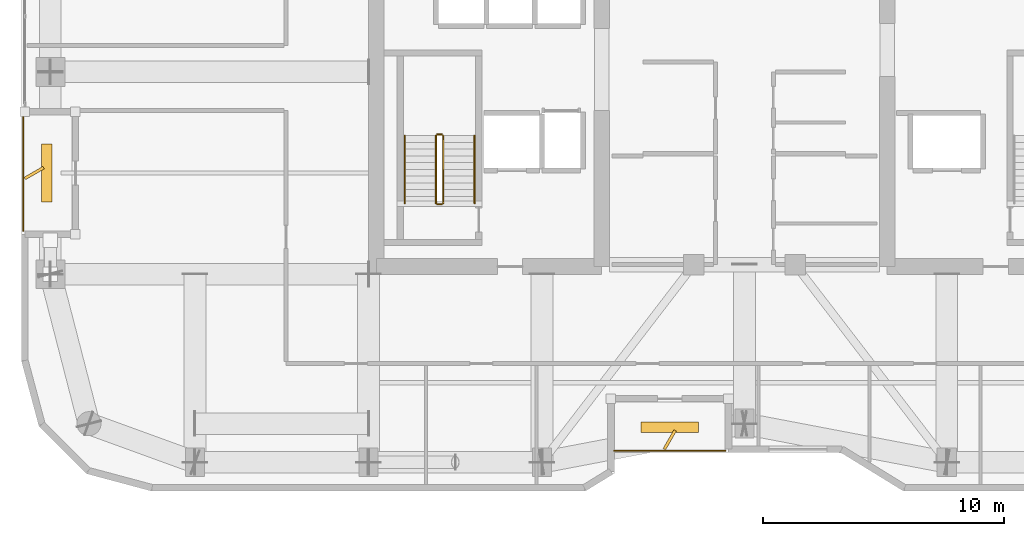
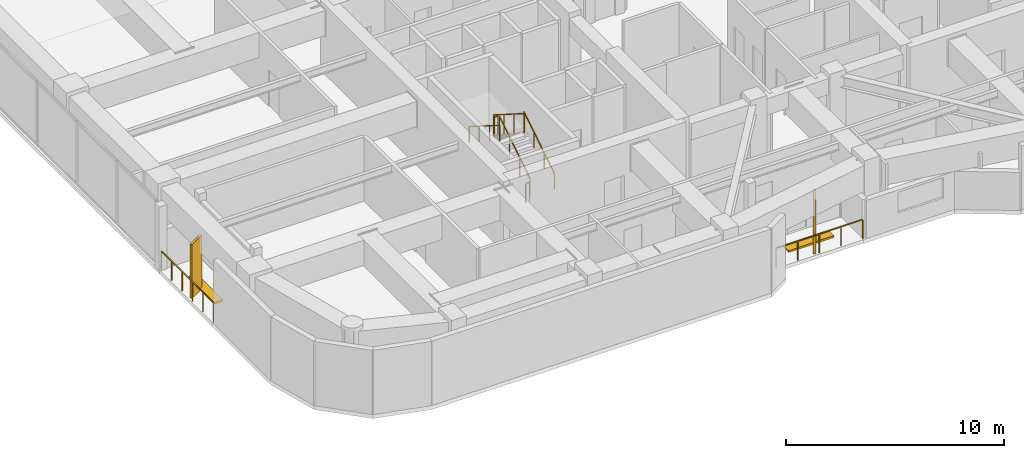
# One storey, part 28 of 30: 8 railings, 4 shading devices.
"""IFC4 building model written with IfcOpenShell, lengths in metres."""

from ifc_helpers import new_model, si_unit, direction, frame, origin, origin_2d, place, context, subcontext, project, spatial, rectangle, extrude, material, type_object, element, save


model = new_model("IFC4")

# Units and contexts
model_context = context("Model", 3, precision=1e-05, world=origin(), true_north=direction((0.0, 1.0)))
body_context = subcontext(model_context, "Body", "Model", "MODEL_VIEW")
ifc_project = project(units=[si_unit("LENGTHUNIT", "METRE"), si_unit("AREAUNIT", "SQUARE_METRE"), si_unit("VOLUMEUNIT", "CUBIC_METRE"), si_unit("PLANEANGLEUNIT", "RADIAN"), si_unit("MASSUNIT", "GRAM", prefix="KILO")], contexts=[model_context])

# Site, building, storey
site_placement = place(None, origin())
site = spatial("IfcSite", under=ifc_project, at=site_placement, CompositionType="ELEMENT")
building_placement = place(site_placement, origin())
building = spatial("IfcBuilding", under=site, at=building_placement, Name="Kiyonajd Concourse Tower", CompositionType="ELEMENT")
storey_placement = place(building_placement, frame((0.0, 0.0, 205.800048828125)))
storey = spatial("IfcBuildingStorey", under=building, at=storey_placement, Name="L52", CompositionType="ELEMENT", Elevation=205.800048828125)

# Railings
ifc_material_1 = material(Name="Thermally Broken Anodised Aluminium", Category="aluminium")
railing_type_1 = type_object("IfcRailingType", Name="RL-GRD-LOG", PredefinedType="GUARDRAIL", material=ifc_material_1)
railing_1_placement = place(storey_placement, frame((42.60009765625, 20.280029296875, 0.0)))
element("IfcRailing", 1, at=railing_1_placement, inside=storey, type_object=railing_type_1, Name="L52 Engawa Loggia Perimeter Guard LOG-S", PredefinedType="GUARDRAIL", context=body_context, shape_type="SweptSolid", body=[
    extrude(rectangle(XDim=0.048095703125, YDim=0.048095703125, at=origin_2d()), frame((0.0, 0.0, 1.076171875), z_axis=(1.0, 0.0, 0.0), x_axis=(0.0, 1.0, 0.0)), (0.0, 0.0, 1.0), 4.599853515625),
    extrude(rectangle(XDim=0.0419921875, YDim=0.0419921875, at=origin_2d()), origin(), (0.0, 0.0, 1.0), 1.052001953125),
    extrude(rectangle(XDim=0.0419921875, YDim=0.0419921875, at=origin_2d()), frame((1.14990234375, 0.0, 0.0)), (0.0, 0.0, 1.0), 1.052001953125),
    extrude(rectangle(XDim=0.0419921875, YDim=0.0419921875, at=origin_2d()), frame((2.2998046875, 0.0, 0.0)), (0.0, 0.0, 1.0), 1.052001953125),
    extrude(rectangle(XDim=0.0419921875, YDim=0.0419921875, at=origin_2d()), frame((3.449951171875, 0.0, 0.0)), (0.0, 0.0, 1.0), 1.052001953125),
    extrude(rectangle(XDim=0.0419921875, YDim=0.0419921875, at=origin_2d()), frame((4.599853515625, 0.0, 0.0)), (0.0, 0.0, 1.0), 1.052001953125),
])
railing_2_placement = place(storey_placement, frame((18.080078125, 34.199951171875, 0.0)))
element("IfcRailing", 2, at=railing_2_placement, inside=storey, type_object=railing_type_1, Name="L52 Engawa Loggia Perimeter Guard LOG-W", PredefinedType="GUARDRAIL", context=body_context, shape_type="SweptSolid", body=[
    extrude(rectangle(XDim=0.048095703125, YDim=0.048095703125, at=origin_2d()), frame((0.0, 0.0, 1.076171875), z_axis=(0.0, -1.0, 0.0), x_axis=(1.0, 0.0, 0.0)), (0.0, 0.0, 1.0), 4.800048828125),
    extrude(rectangle(XDim=0.0419921875, YDim=0.0419921875, at=origin_2d()), origin(), (0.0, 0.0, 1.0), 1.052001953125),
    extrude(rectangle(XDim=0.0419921875, YDim=0.0419921875, at=origin_2d()), frame((0.0, -0.9599609375, 0.0)), (0.0, 0.0, 1.0), 1.052001953125),
    extrude(rectangle(XDim=0.0419921875, YDim=0.0419921875, at=origin_2d()), frame((0.0, -1.919921875, 0.0)), (0.0, 0.0, 1.0), 1.052001953125),
    extrude(rectangle(XDim=0.0419921875, YDim=0.0419921875, at=origin_2d()), frame((0.0, -2.880126953125, 0.0)), (0.0, 0.0, 1.0), 1.052001953125),
    extrude(rectangle(XDim=0.0419921875, YDim=0.0419921875, at=origin_2d()), frame((0.0, -3.840087890625, 0.0)), (0.0, 0.0, 1.0), 1.052001953125),
    extrude(rectangle(XDim=0.0419921875, YDim=0.0419921875, at=origin_2d()), frame((0.0, -4.800048828125, 0.0)), (0.0, 0.0, 1.0), 1.052001953125),
])
ifc_material_2 = material(Name="Steel ASTM A500 Grade C", Category="steel")
railing_type_2 = type_object("IfcRailingType", Name="RL-GRD-STR", PredefinedType="GUARDRAIL", material=ifc_material_2)
railing_3_placement = place(storey_placement, frame((35.5, 30.550048828125, 0.17724609375)))
element("IfcRailing", 3, at=railing_3_placement, inside=storey, type_object=railing_type_2, Name="L52 ST1 stair guard 1", PredefinedType="GUARDRAIL", context=body_context, shape_type="SweptSolid", body=[
    extrude(rectangle(XDim=0.048095703125, YDim=0.048095703125, at=origin_2d()), frame((0.0, 0.0, 1.076171875), z_axis=(0.0, 0.844908973607, 0.534910110503), x_axis=(-1.0, 0.0, 0.0)), (0.0, 0.0, 1.0), 3.31396484375),
    extrude(rectangle(XDim=0.0419921875, YDim=0.0419921875, at=origin_2d()), origin(), (0.0, 0.0, 1.0), 1.052001953125),
    extrude(rectangle(XDim=0.0419921875, YDim=0.0419921875, at=origin_2d()), frame((0.0, 0.933349609375, 0.5908203125)), (0.0, 0.0, 1.0), 1.052001953125),
    extrude(rectangle(XDim=0.0419921875, YDim=0.0419921875, at=origin_2d()), frame((0.0, 1.86669921875, 1.181884765625)), (0.0, 0.0, 1.0), 1.052001953125),
    extrude(rectangle(XDim=0.0419921875, YDim=0.0419921875, at=origin_2d()), frame((0.0, 2.800048828125, 1.772705078125)), (0.0, 0.0, 1.0), 1.052001953125),
])
railing_4_placement = place(storey_placement, frame((35.449951171875, 33.39990234375, 1.949951171875)))
element("IfcRailing", 4, at=railing_4_placement, inside=storey, type_object=railing_type_2, Name="L52 ST1 stair guard 2", PredefinedType="GUARDRAIL", context=body_context, shape_type="SweptSolid", body=[
    extrude(rectangle(XDim=0.048095703125, YDim=0.048095703125, at=origin_2d()), frame((0.0, 0.0, 1.076171875), z_axis=(-1.0, 0.0, 0.0), x_axis=(0.0, -1.0, 0.0)), (0.0, 0.0, 1.0), 0.199951171875),
    extrude(rectangle(XDim=0.0419921875, YDim=0.0419921875, at=origin_2d()), origin(), (0.0, 0.0, 1.0), 1.052001953125),
    extrude(rectangle(XDim=0.0419921875, YDim=0.0419921875, at=origin_2d()), frame((-0.199951171875, 0.0, 0.0)), (0.0, 0.0, 1.0), 1.052001953125),
])
railing_5_placement = place(storey_placement, frame((35.199951171875, 33.35009765625, 2.127197265625)))
element("IfcRailing", 5, at=railing_5_placement, inside=storey, type_object=railing_type_2, Name="L52 ST1 stair guard 3", PredefinedType="GUARDRAIL", context=body_context, shape_type="SweptSolid", body=[
    extrude(rectangle(XDim=0.048095703125, YDim=0.048095703125, at=origin_2d()), frame((0.0, 0.0, 1.076171875), z_axis=(0.0, -0.844908973607, 0.534910110503), x_axis=(1.0, 0.0, 0.0)), (0.0, 0.0, 1.0), 3.31396484375),
    extrude(rectangle(XDim=0.0419921875, YDim=0.0419921875, at=origin_2d()), origin(), (0.0, 0.0, 1.0), 1.052001953125),
    extrude(rectangle(XDim=0.0419921875, YDim=0.0419921875, at=origin_2d()), frame((0.0, -0.933349609375, 0.5908203125)), (0.0, 0.0, 1.0), 1.052001953125),
    extrude(rectangle(XDim=0.0419921875, YDim=0.0419921875, at=origin_2d()), frame((0.0, -1.86669921875, 1.181884765625)), (0.0, 0.0, 1.0), 1.052001953125),
    extrude(rectangle(XDim=0.0419921875, YDim=0.0419921875, at=origin_2d()), frame((0.0, -2.800048828125, 1.772705078125)), (0.0, 0.0, 1.0), 1.052001953125),
])
railing_6_placement = place(storey_placement, frame((35.449951171875, 30.5, 0.0)))
element("IfcRailing", 6, at=railing_6_placement, inside=storey, type_object=railing_type_2, Name="L52 ST1 stair guard 4", PredefinedType="GUARDRAIL", context=body_context, shape_type="SweptSolid", body=[
    extrude(rectangle(XDim=0.048095703125, YDim=0.048095703125, at=origin_2d()), frame((0.0, 0.0, 1.076171875), z_axis=(-1.0, 0.0, 0.0), x_axis=(0.0, -1.0, 0.0)), (0.0, 0.0, 1.0), 0.199951171875),
    extrude(rectangle(XDim=0.0419921875, YDim=0.0419921875, at=origin_2d()), origin(), (0.0, 0.0, 1.0), 1.052001953125),
    extrude(rectangle(XDim=0.0419921875, YDim=0.0419921875, at=origin_2d()), frame((-0.199951171875, 0.0, 0.0)), (0.0, 0.0, 1.0), 1.052001953125),
])
ifc_material_3 = material(Name="Brushed Stainless Steel Cab Assembly", Category="steel")
railing_type_3 = type_object("IfcRailingType", Name="RL-HND-900", PredefinedType="HANDRAIL", material=ifc_material_3)
railing_7_placement = place(storey_placement, frame((36.800048828125, 30.550048828125, 0.17724609375)))
element("IfcRailing", 7, at=railing_7_placement, inside=storey, type_object=railing_type_3, Name="L52 ST1 stair handrail 1", PredefinedType="HANDRAIL", context=body_context, shape_type="SweptSolid", body=[
    extrude(rectangle(XDim=0.048095703125, YDim=0.048095703125, at=origin_2d()), frame((0.0, 0.0, 0.8759765625), z_axis=(0.0, 0.844908973607, 0.534910110503), x_axis=(-1.0, 0.0, 0.0)), (0.0, 0.0, 1.0), 3.31396484375),
    extrude(rectangle(XDim=0.0419921875, YDim=0.0419921875, at=origin_2d()), origin(), (0.0, 0.0, 1.0), 0.851806640625),
    extrude(rectangle(XDim=0.0419921875, YDim=0.0419921875, at=origin_2d()), frame((0.0, 0.933349609375, 0.5908203125)), (0.0, 0.0, 1.0), 0.851806640625),
    extrude(rectangle(XDim=0.0419921875, YDim=0.0419921875, at=origin_2d()), frame((0.0, 1.86669921875, 1.181884765625)), (0.0, 0.0, 1.0), 0.851806640625),
    extrude(rectangle(XDim=0.0419921875, YDim=0.0419921875, at=origin_2d()), frame((0.0, 2.800048828125, 1.772705078125)), (0.0, 0.0, 1.0), 0.851806640625),
])
railing_8_placement = place(storey_placement, frame((33.89990234375, 33.35009765625, 2.127197265625)))
element("IfcRailing", 8, at=railing_8_placement, inside=storey, type_object=railing_type_3, Name="L52 ST1 stair handrail 2", PredefinedType="HANDRAIL", context=body_context, shape_type="SweptSolid", body=[
    extrude(rectangle(XDim=0.048095703125, YDim=0.048095703125, at=origin_2d()), frame((0.0, 0.0, 0.8759765625), z_axis=(0.0, -0.844908973607, 0.534910110503), x_axis=(1.0, 0.0, 0.0)), (0.0, 0.0, 1.0), 3.31396484375),
    extrude(rectangle(XDim=0.0419921875, YDim=0.0419921875, at=origin_2d()), origin(), (0.0, 0.0, 1.0), 0.851806640625),
    extrude(rectangle(XDim=0.0419921875, YDim=0.0419921875, at=origin_2d()), frame((0.0, -0.933349609375, 0.5908203125)), (0.0, 0.0, 1.0), 0.851806640625),
    extrude(rectangle(XDim=0.0419921875, YDim=0.0419921875, at=origin_2d()), frame((0.0, -1.86669921875, 1.181884765625)), (0.0, 0.0, 1.0), 0.851806640625),
    extrude(rectangle(XDim=0.0419921875, YDim=0.0419921875, at=origin_2d()), frame((0.0, -2.800048828125, 1.772705078125)), (0.0, 0.0, 1.0), 0.851806640625),
])

# Shading devices
ifc_material_4 = material(Name="Precast concrete C50/60", Category="concrete")
shading_device_type_1 = type_object("IfcShadingDeviceType", Name="SH-FIN-900", PredefinedType="USERDEFINED", material=ifc_material_4)
for number, where, z_axis, x_axis, name in (
    (9, (44.89990234375, 20.72998046875, 0.0), (0.0, 0.0, 1.0), (0.5, 0.866025403784, 0.0), "L52 Angled Koshi Solar Fin LOG-S"),
    (10, (18.530029296875, 31.800048828125, 0.0), (0.0, 0.0, 1.0), (0.866025403784, 0.5, 0.0), "L52 Angled Koshi Solar Fin LOG-W"),
):
    element("IfcShadingDevice", number, at=place(storey_placement, frame(where, z_axis=z_axis, x_axis=x_axis)), inside=storey, type_object=shading_device_type_1, Name=name, ObjectType="FIN", PredefinedType="USERDEFINED", context=body_context, shape_type="SweptSolid", body=[
        extrude(rectangle(XDim=0.89990234375, YDim=0.1201171875, at=origin_2d()), origin(), (0.0, 0.0, 1.0), 3.0),
    ])
shading_device_type_2 = type_object("IfcShadingDeviceType", Name="SH-LVR-600", PredefinedType="JALOUSIE", material=ifc_material_1)
for number, where, z_axis, x_axis, name in (
    (11, (44.89990234375, 21.25, 0.0), (0.0, 0.0, 1.0), (1.0, 0.0, 0.0), "L52 Loggia Threshold Louver LOG-S"),
    (12, (19.050048828125, 31.800048828125, 0.0), (0.0, 0.0, 1.0), (0.0, 1.0, 0.0), "L52 Loggia Threshold Louver LOG-W"),
):
    element("IfcShadingDevice", number, at=place(storey_placement, frame(where, z_axis=z_axis, x_axis=x_axis)), inside=storey, type_object=shading_device_type_2, Name=name, PredefinedType="JALOUSIE", context=body_context, shape_type="SweptSolid", body=[
        extrude(rectangle(XDim=2.39990234375, YDim=0.449951171875, at=origin_2d()), origin(), (0.0, 0.0, 1.0), 0.10009765625),
    ])

save(model, "model.ifc")
